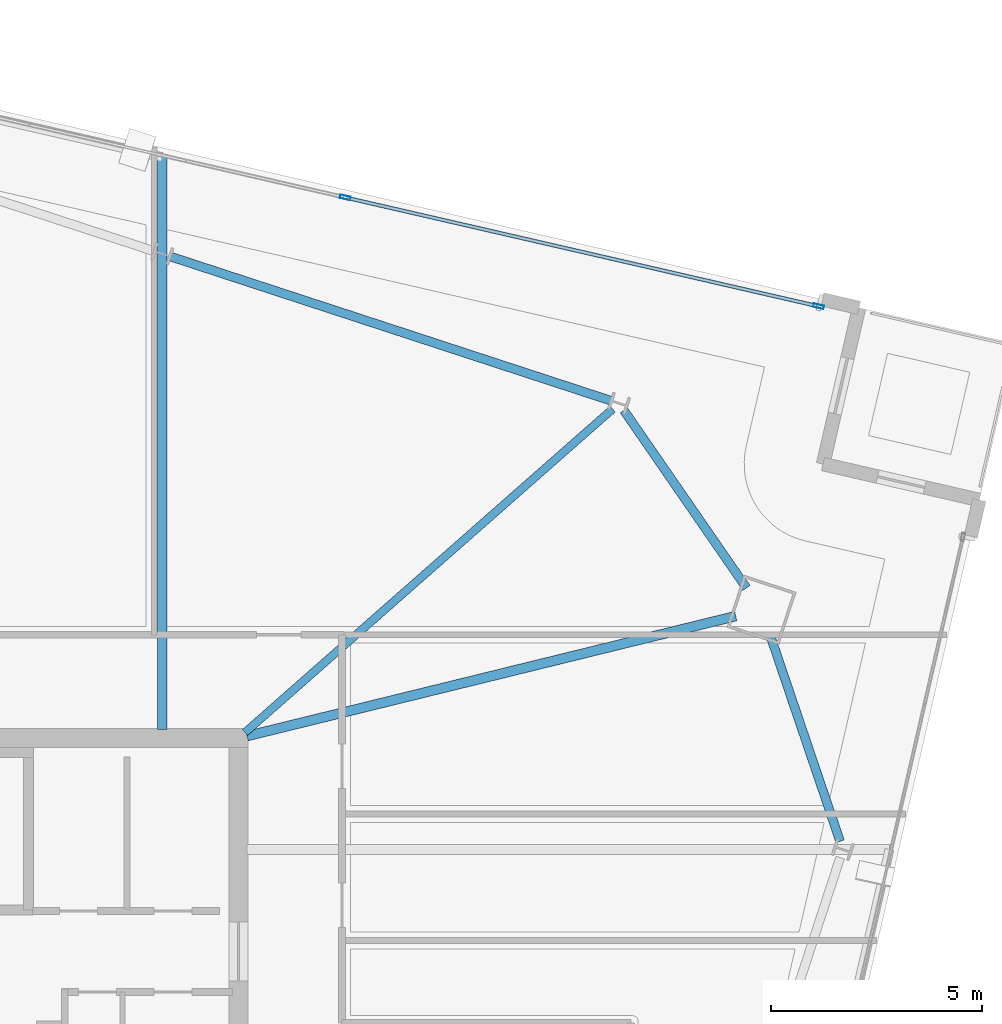
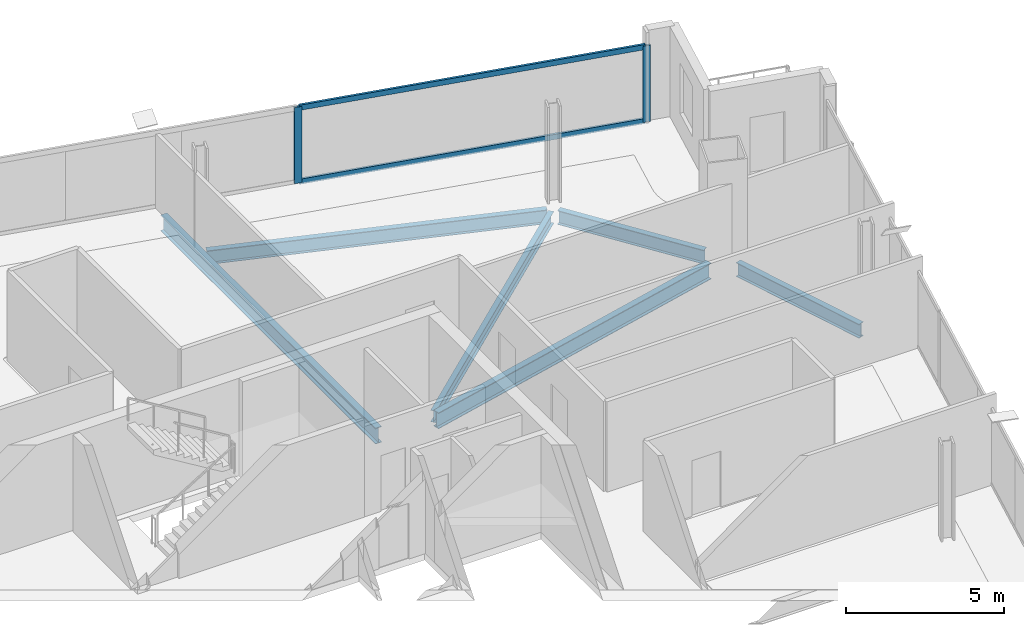
# One storey, part 17 of 28: 6 beams, 4 members, 1 element without a shape of its own.
"""IFC4 building model written with IfcOpenShell, lengths in metres."""

from ifc_helpers import new_model, si_unit, direction, frame, origin, origin_2d, place, context, subcontext, project, spatial, hollow_rectangle, i_section, extrude, material, material_profile, profile_set, type_object, element, aggregate, save


model = new_model("IFC4")

# Units and contexts
model_context = context("Model", 3, precision=1e-05, world=origin(), true_north=direction((0.0, 1.0)))
body_context = subcontext(model_context, "Body", "Model", "MODEL_VIEW")
ifc_project = project(units=[si_unit("LENGTHUNIT", "METRE"), si_unit("AREAUNIT", "SQUARE_METRE"), si_unit("VOLUMEUNIT", "CUBIC_METRE"), si_unit("PLANEANGLEUNIT", "RADIAN"), si_unit("MASSUNIT", "GRAM", prefix="KILO")], contexts=[model_context])

# Site, building, storey
site_placement = place(None, origin())
site = spatial("IfcSite", under=ifc_project, at=site_placement, CompositionType="ELEMENT")
building_placement = place(site_placement, origin())
building = spatial("IfcBuilding", under=site, at=building_placement, Name="Haldenkirk Collegiate Tower", CompositionType="ELEMENT")
storey_placement = place(building_placement, frame((0.0, 0.0, 286.199951171875)))
storey = spatial("IfcBuildingStorey", under=building, at=storey_placement, Name="L72", CompositionType="ELEMENT", Elevation=286.199951171875)

# Beams
ifc_material_1 = material(Name="Steel ASTM A992 Grade 50", Category="steel")
ifc_material_profile_1 = material_profile(ifc_material_1, i_section(OverallWidth=0.22998046875, OverallDepth=0.616943359375, WebThickness=0.01318359375, FlangeThickness=0.022216796875, at=origin_2d()), Name="W24X94")
ifc_profile_set_1 = profile_set([ifc_material_profile_1], Name="Steel ASTM A992 Grade 50")
beam_type_1 = type_object("IfcBeamType", Name="BM-GIRDER-W24X94", PredefinedType="BEAM", material=ifc_profile_set_1)
beam_1_placement = place(storey_placement, frame((56.783935546875, 36.893310546875, -0.578369140625), z_axis=(-0.971153636509, -0.238454637815, 0.0), x_axis=(0.238454637815, -0.971153636509, 0.0)))
element("IfcBeam", 1, at=beam_1_placement, inside=storey, type_object=beam_type_1, Name="L72 primary floor girder 02", PredefinedType="BEAM", context=body_context, shape_type="SweptSolid", body=[
    extrude(i_section(OverallWidth=0.22998046875, OverallDepth=0.616943359375, WebThickness=0.01318359375, FlangeThickness=0.022216796875, at=origin_2d()), origin(), (0.0, 0.0, 1.0), 11.9287109375),
])
beam_2_placement = place(storey_placement, frame((43.18994140625, 47.7724609375, -0.578369140625), z_axis=(0.0, -1.0, 0.0), x_axis=(1.0, 0.0, 0.0)))
element("IfcBeam", 2, at=beam_2_placement, inside=storey, type_object=beam_type_1, Name="L72 primary floor girder 09", PredefinedType="BEAM", context=body_context, shape_type="SweptSolid", body=[
    extrude(i_section(OverallWidth=0.22998046875, OverallDepth=0.616943359375, WebThickness=0.01318359375, FlangeThickness=0.022216796875, at=origin_2d()), origin(), (0.0, 0.0, 1.0), 13.5673828125),
])
ifc_material_profile_2 = material_profile(ifc_material_1, i_section(OverallWidth=0.18994140625, OverallDepth=0.45703125, WebThickness=0.009033203125, FlangeThickness=0.014404296875, at=origin_2d()), Name="W18X50")
ifc_profile_set_2 = profile_set([ifc_material_profile_2], Name="Steel ASTM A992 Grade 50")
beam_type_2 = type_object("IfcBeamType", Name="BM-JOIST-W18X50", PredefinedType="JOIST", material=ifc_profile_set_2)
beam_3_placement = place(storey_placement, frame((53.865966796875, 41.802734375, -0.49853515625), z_axis=(-0.750690564018, -0.660653976825, 0.0), x_axis=(0.660653976825, -0.750690564018, 0.0)))
element("IfcBeam", 3, at=beam_3_placement, inside=storey, type_object=beam_type_2, Name="L72 composite floor joist 08", PredefinedType="JOIST", context=body_context, shape_type="SweptSolid", body=[
    extrude(i_section(OverallWidth=0.18994140625, OverallDepth=0.45703125, WebThickness=0.009033203125, FlangeThickness=0.014404296875, at=origin_2d()), origin(), (0.0, 0.0, 1.0), 11.60546875),
])
ifc_material_profile_3 = material_profile(ifc_material_1, i_section(OverallWidth=0.2099609375, OverallDepth=0.537109375, WebThickness=0.010986328125, FlangeThickness=0.017333984375, at=origin_2d()), Name="W21X68")
ifc_profile_set_3 = profile_set([ifc_material_profile_3], Name="Steel ASTM A992 Grade 50")
beam_type_3 = type_object("IfcBeamType", Name="BM-SPANDREL-W21X68", PredefinedType="SPANDREL", material=ifc_profile_set_3)
beam_4_placement = place(storey_placement, frame((59.258544921875, 31.5517578125, -0.538330078125), z_axis=(-0.321225245884, 0.947002820168, 0.0), x_axis=(-0.947002820168, -0.321225245884, 0.0)))
element("IfcBeam", 4, at=beam_4_placement, inside=storey, type_object=beam_type_3, Name="L72 perimeter spandrel beam 04", PredefinedType="SPANDREL", context=body_context, shape_type="SweptSolid", body=[
    extrude(i_section(OverallWidth=0.2099609375, OverallDepth=0.537109375, WebThickness=0.010986328125, FlangeThickness=0.017333984375, at=origin_2d()), origin(), (0.0, 0.0, 1.0), 5.1689453125),
])
beam_5_placement = place(storey_placement, frame((57.037841796875, 37.56201171875, -0.538330078125), z_axis=(-0.568092176681, 0.822964931692, 0.0), x_axis=(-0.822964931692, -0.568092176681, 0.0)))
element("IfcBeam", 5, at=beam_5_placement, inside=storey, type_object=beam_type_3, Name="L72 perimeter spandrel beam 05", PredefinedType="SPANDREL", context=body_context, shape_type="SweptSolid", body=[
    extrude(i_section(OverallWidth=0.2099609375, OverallDepth=0.537109375, WebThickness=0.010986328125, FlangeThickness=0.017333984375, at=origin_2d()), origin(), (0.0, 0.0, 1.0), 5.11328125),
])
beam_6_placement = place(storey_placement, frame((53.825439453125, 41.99951171875, -0.538330078125), z_axis=(-0.950402144652, 0.311023734531, 0.0), x_axis=(-0.311023734531, -0.950402144652, 0.0)))
element("IfcBeam", 6, at=beam_6_placement, inside=storey, type_object=beam_type_3, Name="L72 perimeter spandrel beam 06", PredefinedType="SPANDREL", context=body_context, shape_type="SweptSolid", body=[
    extrude(i_section(OverallWidth=0.2099609375, OverallDepth=0.537109375, WebThickness=0.010986328125, FlangeThickness=0.017333984375, at=origin_2d()), origin(), (0.0, 0.0, 1.0), 10.98779296875),
])

# Curtain wall, members
ifc_material_2 = material(Name="Anodised architectural bronze aluminium", Category="aluminium")
curtain_wall_type = type_object("IfcCurtainWallType", Name="CW-SYS1B-CONVEX-HI", PredefinedType="USERDEFINED", material=ifc_material_2)
curtain_wall_placement = place(storey_placement, origin())
curtain_wall = element("IfcCurtainWall", 7, at=curtain_wall_placement, inside=storey, type_object=curtain_wall_type, Name="L72 Upper tower high-wind convex bronze unitised curtain wall", ObjectType="UNITISED CURTAIN WALL", PredefinedType="USERDEFINED")
ifc_material_profile_4 = material_profile(ifc_material_2, hollow_rectangle(XDim=0.0849609375, YDim=0.25, WallThickness=0.0048828125, at=origin_2d()), Name="CW-MUL-1B")
ifc_profile_set_4 = profile_set([ifc_material_profile_4], Name="Anodised architectural bronze aluminium")
member_type_1 = type_object("IfcMemberType", Name="CW-MUL-1B", PredefinedType="MULLION", material=ifc_profile_set_4)
member_1_placement = place(storey_placement, frame((47.52490234375, 46.816650390625, 0.0), z_axis=(0.0, 0.0, 1.0), x_axis=(0.22410077316, 0.974565976971, 0.0)))
member_1 = element("IfcMember", 8, at=member_1_placement, type_object=member_type_1, Name="CW-1B mullion 3", PredefinedType="MULLION", context=body_context, shape_type="SweptSolid", body=[
    extrude(hollow_rectangle(XDim=0.0849609375, YDim=0.25, WallThickness=0.0048828125, at=origin_2d()), origin(), (0.0, 0.0, 1.0), 2.93798828125),
])
member_2_placement = place(storey_placement, frame((58.747802734375, 44.236083984375, 0.0), z_axis=(0.0, 0.0, 1.0), x_axis=(0.22410077316, 0.974565976971, 0.0)))
member_2 = element("IfcMember", 9, at=member_2_placement, type_object=member_type_1, Name="CW-1B mullion 4", PredefinedType="MULLION", context=body_context, shape_type="SweptSolid", body=[
    extrude(hollow_rectangle(XDim=0.0849609375, YDim=0.25, WallThickness=0.0048828125, at=origin_2d()), origin(), (0.0, 0.0, 1.0), 2.93798828125),
])
ifc_material_profile_5 = material_profile(ifc_material_2, hollow_rectangle(XDim=0.0849609375, YDim=0.199951171875, WallThickness=0.0048828125, at=origin_2d()), Name="CW-TRN-1B")
ifc_profile_set_5 = profile_set([ifc_material_profile_5], Name="Anodised architectural bronze aluminium")
member_type_2 = type_object("IfcMemberType", Name="CW-TRN-1B", PredefinedType="USERDEFINED", material=ifc_profile_set_5)
member_3_placement = place(storey_placement, frame((47.566162109375, 46.80712890625, 0.04248046875), z_axis=(0.97456871493, -0.224088866032, 0.0), x_axis=(0.224088866032, 0.97456871493, 0.0)))
member_3 = element("IfcMember", 10, at=member_3_placement, type_object=member_type_2, Name="CW-1B transom 3.1", ObjectType="TRANSOM", PredefinedType="USERDEFINED", context=body_context, shape_type="SweptSolid", body=[
    extrude(hollow_rectangle(XDim=0.0849609375, YDim=0.199951171875, WallThickness=0.0048828125, at=origin_2d()), origin(), (0.0, 0.0, 1.0), 11.430908203125),
])
member_4_placement = place(storey_placement, frame((47.566162109375, 46.80712890625, 2.8955078125), z_axis=(0.97456871493, -0.224088866032, 0.0), x_axis=(0.224088866032, 0.97456871493, 0.0)))
member_4 = element("IfcMember", 11, at=member_4_placement, type_object=member_type_2, Name="CW-1B transom 3.2", ObjectType="TRANSOM", PredefinedType="USERDEFINED", context=body_context, shape_type="SweptSolid", body=[
    extrude(hollow_rectangle(XDim=0.0849609375, YDim=0.199951171875, WallThickness=0.0048828125, at=origin_2d()), origin(), (0.0, 0.0, 1.0), 11.430908203125),
])
aggregate(curtain_wall, [member_1, member_2, member_3, member_4])

save(model, "model.ifc")
